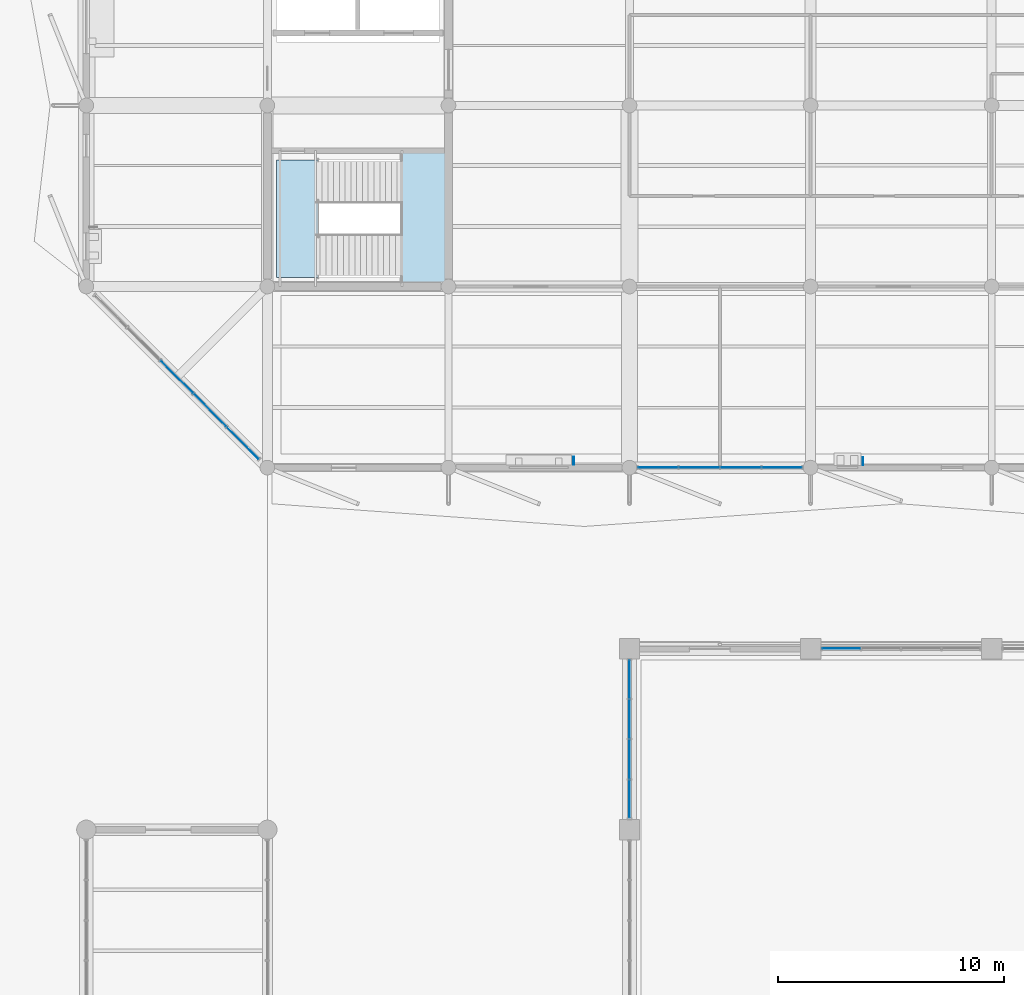
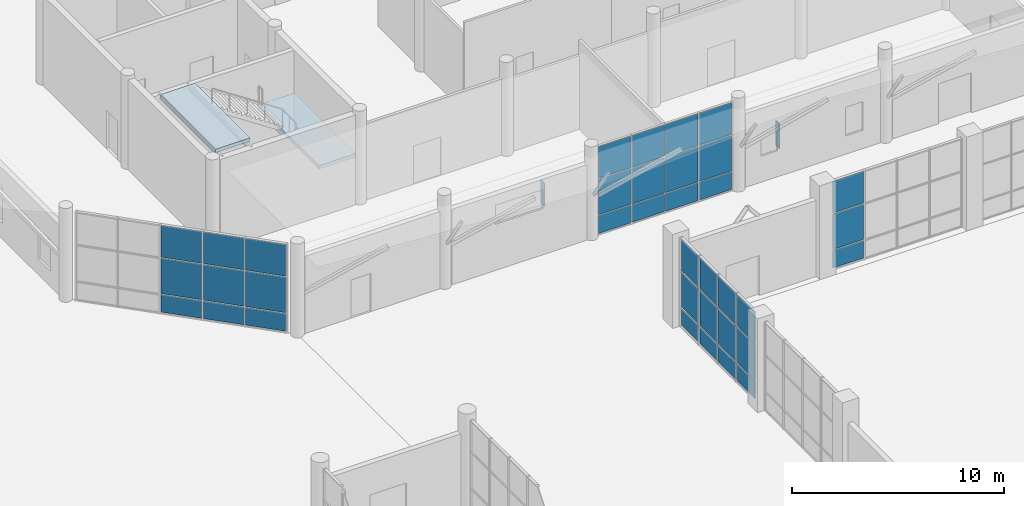
# One storey, part 83 of 123: 38 plates, 2 slabs, 5 elements without a shape of their own.
"""IFC4 building model written with IfcOpenShell, lengths in metres."""

import ifcopenshell
import ifcopenshell.guid

model = None  # the IFC model being written
_history = None  # IfcOwnerHistory: only IFC2X3 demands one
_inside = {}  # id of a spatial element -> (the spatial element, [elements in it])
_under = {}  # id of a project, library or spatial element -> (it, [spatial elements below it])
_declared = {}  # id of a project -> (the project, [libraries it declares])
_typed = {}  # id of a type object -> (the type object, [elements of that type])
_made_of = {}  # id of a material, layer set ... -> (it, [elements and type objects made of it])


def new_model(schema):
    """Start an empty IFC model of exactly this schema.

    Asked for "IFC4X3", IfcOpenShell would pick the latest addendum, in which some entities
    have other attributes; the version numbers below select the first issue.
    IFC2X3 requires an IfcOwnerHistory on every rooted entity: one is made here for all.
    """
    global model, _history
    if schema == "IFC4X3":
        model = ifcopenshell.file(schema_version=(4, 3, 0, 0))
    else:
        model = ifcopenshell.file(schema=schema)
    _inside.clear()
    _under.clear()
    _declared.clear()
    _typed.clear()
    _made_of.clear()
    _history = None
    if model.schema == "IFC2X3":
        org = make("IfcOrganization", Name="unknown")
        user = make(
            "IfcPersonAndOrganization",
            ThePerson=make("IfcPerson", FamilyName="unknown"),
            TheOrganization=org,
        )
        app = make(
            "IfcApplication",
            ApplicationDeveloper=org,
            Version="unknown",
            ApplicationFullName="unknown",
            ApplicationIdentifier="unknown",
        )
        _history = make(
            "IfcOwnerHistory",
            OwningUser=user,
            OwningApplication=app,
            ChangeAction="ADDED",
            CreationDate=0,
        )
    return model


def make(cls, **values):
    """One entity of the class cls with the attributes given. An attribute that is None is left unset."""
    return model.create_entity(
        cls, **{name: value for name, value in values.items() if value is not None}
    )


def rooted(cls, **values):
    """An entity with a GlobalId (a new one), such as an element, a storey or a relation."""
    return make(cls, GlobalId=ifcopenshell.guid.new(), OwnerHistory=_history, **values)


def si_unit(unit_type, name, prefix=None):
    """IfcSIUnit, for example si_unit("LENGTHUNIT", "METRE", prefix="MILLI")."""
    return make("IfcSIUnit", UnitType=unit_type, Prefix=prefix, Name=name)


def assignment(units):
    """IfcUnitAssignment: the units of a project."""
    return None if units is None else make("IfcUnitAssignment", Units=units)


def point(xyz):
    """IfcCartesianPoint."""
    return None if xyz is None else make("IfcCartesianPoint", Coordinates=xyz)


def direction(xyz):
    """IfcDirection."""
    return None if xyz is None else make("IfcDirection", DirectionRatios=xyz)


def frame(location, z_axis=None, x_axis=None):
    """IfcAxis2Placement3D, a coordinate frame: its origin and axes. An axis left out is left unset."""
    return make(
        "IfcAxis2Placement3D",
        Location=point(location),
        Axis=direction(z_axis),
        RefDirection=direction(x_axis),
    )


def frame_2d(location, x_axis=None):
    """IfcAxis2Placement2D, a coordinate frame in the plane: its origin and x axis."""
    return make(
        "IfcAxis2Placement2D", Location=point(location), RefDirection=direction(x_axis)
    )


def origin():
    """The frame at (0, 0, 0) with its axes left unset."""
    return frame((0.0, 0.0, 0.0))


def origin_2d():
    """The frame at (0, 0) in the plane with its x axis left unset."""
    return frame_2d((0.0, 0.0))


def place(relative_to, where):
    """IfcLocalPlacement: puts the frame where relative to a parent placement (None: the world)."""
    return make(
        "IfcLocalPlacement", PlacementRelTo=relative_to, RelativePlacement=where
    )


def context(
    kind, dimensions, precision=None, world=None, true_north=None, identifier=None
):
    """IfcGeometricRepresentationContext, for example the 3D "Model" context."""
    return make(
        "IfcGeometricRepresentationContext",
        ContextIdentifier=identifier,
        ContextType=kind,
        CoordinateSpaceDimension=dimensions,
        Precision=precision,
        WorldCoordinateSystem=world,
        TrueNorth=true_north,
    )


def subcontext(parent, identifier, kind, view, scale=None):
    """IfcGeometricRepresentationSubContext, for example "Body" below "Model"."""
    return make(
        "IfcGeometricRepresentationSubContext",
        ContextIdentifier=identifier,
        ContextType=kind,
        ParentContext=parent,
        TargetScale=scale,
        TargetView=view,
    )


def project(units=None, contexts=None):
    """IfcProject with its units and contexts."""
    return rooted(
        "IfcProject",
        Name="project",
        RepresentationContexts=contexts,
        UnitsInContext=assignment(units),
    )


def spatial(cls, under=None, at=None, **own):
    """A site, building, storey or space (cls), placed at a placement, below another one or the project."""
    s = rooted(cls, ObjectPlacement=at, **own)
    if under is not None:
        _under.setdefault(under.id(), (under, []))[1].append(s)
    return s


def polyline(points):
    """IfcPolyline through the points."""
    return make("IfcPolyline", Points=[point(p) for p in points])


def profile(cls, at=None, kind="AREA", **sizes):
    """A parametric profile (cls). Its sizes go by their IFC names, for example OverallWidth=200.0."""
    return make(cls, ProfileType=kind, Position=at, **sizes)


def rectangle(**sizes):
    """IfcRectangleProfileDef."""
    return profile("IfcRectangleProfileDef", **sizes)


def outline(outer, holes=None, kind="AREA"):
    """IfcArbitraryClosedProfileDef: a profile drawn as a closed curve; with holes, ...WithVoids."""
    if holes is None:
        return make("IfcArbitraryClosedProfileDef", ProfileType=kind, OuterCurve=outer)
    return make(
        "IfcArbitraryProfileDefWithVoids",
        ProfileType=kind,
        OuterCurve=outer,
        InnerCurves=holes,
    )


def extrude(swept, where, along, depth):
    """IfcExtrudedAreaSolid: the profile swept, set in the frame where, extruded along a direction by depth."""
    return make(
        "IfcExtrudedAreaSolid",
        SweptArea=swept,
        Position=where,
        ExtrudedDirection=direction(along),
        Depth=depth,
    )


def shape(context_of_items, identifier, shape_type, items):
    """IfcShapeRepresentation: the items that make up one representation, for example the "Body"."""
    return make(
        "IfcShapeRepresentation",
        ContextOfItems=context_of_items,
        RepresentationIdentifier=identifier,
        RepresentationType=shape_type,
        Items=items,
    )


def material(Name=None, Category=None):
    """IfcMaterial."""
    return make("IfcMaterial", Name=Name, Category=Category)


def layer(
    of_material, thickness, ventilated=None, Name=None, Category=None, Priority=None
):
    """IfcMaterialLayer: one layer of a wall or slab, of a material (None: an air gap)."""
    return make(
        "IfcMaterialLayer",
        Material=of_material,
        LayerThickness=thickness,
        IsVentilated=ventilated,
        Name=Name,
        Category=Category,
        Priority=Priority,
    )


def layer_set(layers, Name=None):
    """IfcMaterialLayerSet."""
    return make("IfcMaterialLayerSet", MaterialLayers=layers, LayerSetName=Name)


def made_of(thing, what):
    """Note that an element or type object is made of a material, layer set ...; save() writes the relation."""
    if what is not None:
        _made_of.setdefault(what.id(), (what, []))[1].append(thing)
    return thing


def type_object(cls, material=None, **own):
    """A type object (cls), such as IfcWallType, which elements share."""
    return made_of(rooted(cls, **own), material)


def element(
    cls,
    number,
    at=None,
    inside=None,
    cuts=None,
    type_object=None,
    material=None,
    context=None,
    identifier="Body",
    shape_type=None,
    held_by="IfcProductDefinitionShape",
    body=None,
    shapes=None,
    **own,
):
    """One element of the class cls, such as IfcWall. Its Tag is "e" and its number.

    at: its placement. inside: the storey or other place that contains it. cuts: it is an
    opening in that element (IfcRelVoidsElement). A single representation is given by context,
    identifier, shape_type and body (its items); several are given by shapes. held_by: the class
    of the entity that holds the representations. save() writes the other relations.
    """
    e = rooted(cls, Tag="e%d" % number, ObjectPlacement=at, **own)
    if body is not None:
        shapes = [shape(context, identifier, shape_type, body)]
    if shapes is not None:
        e.Representation = make(held_by, Representations=shapes)
    if inside is not None:
        _inside.setdefault(inside.id(), (inside, []))[1].append(e)
    if cuts is not None:
        rooted(
            "IfcRelVoidsElement", RelatingBuildingElement=cuts, RelatedOpeningElement=e
        )
    if type_object is not None:
        _typed.setdefault(type_object.id(), (type_object, []))[1].append(e)
    return made_of(e, material)


def aggregate(whole, parts):
    """IfcRelAggregates: a whole, such as a stair, and the parts it consists of."""
    return rooted("IfcRelAggregates", RelatingObject=whole, RelatedObjects=parts)


def save(model, path):
    """Write the relations noted so far, then the file.

    IfcRelAggregates (storeys below a building ...), IfcRelContainedInSpatialStructure (elements
    in a storey), IfcRelDefinesByType, IfcRelAssociatesMaterial and IfcRelDeclares: one each for
    every whole, place, type object, material and project.
    """
    for whole, parts in _under.values():
        aggregate(whole, parts)
    for where, things in _inside.values():
        rooted(
            "IfcRelContainedInSpatialStructure",
            RelatedElements=things,
            RelatingStructure=where,
        )
    for kind, things in _typed.values():
        rooted("IfcRelDefinesByType", RelatedObjects=things, RelatingType=kind)
    for what, things in _made_of.values():
        rooted("IfcRelAssociatesMaterial", RelatedObjects=things, RelatingMaterial=what)
    for by, libraries in _declared.values():
        rooted("IfcRelDeclares", RelatingContext=by, RelatedDefinitions=libraries)
    model.write(path)


model = new_model("IFC4")

# Units and contexts
model_context = context("Model", 3, precision=1e-05, world=origin(), true_north=direction((0.0, 1.0)))
body_context = subcontext(model_context, "Body", "Model", "MODEL_VIEW")
ifc_project = project(units=[si_unit("LENGTHUNIT", "METRE"), si_unit("AREAUNIT", "SQUARE_METRE"), si_unit("VOLUMEUNIT", "CUBIC_METRE"), si_unit("PLANEANGLEUNIT", "RADIAN"), si_unit("MASSUNIT", "GRAM", prefix="KILO")], contexts=[model_context])

# Site, building, storey
site_placement = place(None, origin())
site = spatial("IfcSite", under=ifc_project, at=site_placement, CompositionType="ELEMENT")
building_placement = place(site_placement, origin())
building = spatial("IfcBuilding", under=site, at=building_placement, Name="Tenunan Teduh Sports Hall", CompositionType="ELEMENT")
storey_placement = place(building_placement, origin())
storey = spatial("IfcBuildingStorey", under=building, at=storey_placement, Name="L00", CompositionType="ELEMENT", Elevation=0.0)

# Curtain wall, plates
ifc_material_1 = material(Name="Anodised aluminium", Category="aluminium")
curtain_wall_type = type_object("IfcCurtainWallType", Name="CW-UNIT-1", PredefinedType="NOTDEFINED", material=ifc_material_1)
curtain_wall_1_placement = place(storey_placement, origin())
curtain_wall_1 = element("IfcCurtainWall", 1, at=curtain_wall_1_placement, inside=storey, type_object=curtain_wall_type, Name="CW-CWM-175-L00-110", PredefinedType="NOTDEFINED")
ifc_material_2 = material(Name="Low-E laminated double glazing", Category="glass")
ifc_layer_1 = layer(ifc_material_2, 0.028076171875)
ifc_layer_set_1 = layer_set([ifc_layer_1], Name="Low-E laminated double glazing")
plate_type_1 = type_object("IfcPlateType", Name="CWP-GLZ-28", PredefinedType="CURTAIN_PANEL", material=ifc_layer_set_1)
plate_1_placement = place(storey_placement, frame((131.353759765625, 78.0, 1.13232421875), z_axis=(0.0, 0.0, 1.0), x_axis=(1.0, 0.0, 0.0)))
plate_1 = element("IfcPlate", 2, at=plate_1_placement, type_object=plate_type_1, Name="CW-01 panel 1.2", PredefinedType="CURTAIN_PANEL", context=body_context, shape_type="SweptSolid", body=[
    extrude(rectangle(XDim=1.677490234375, YDim=0.028076171875, at=origin_2d()), origin(), (0.0, 0.0, 1.0), 2.034912109375),
])
plate_2_placement = place(storey_placement, frame((131.353759765625, 78.0, 3.232421875), z_axis=(0.0, 0.0, 1.0), x_axis=(1.0, 0.0, 0.0)))
plate_2 = element("IfcPlate", 3, at=plate_2_placement, type_object=plate_type_1, Name="CW-01 panel 1.3", PredefinedType="CURTAIN_PANEL", context=body_context, shape_type="SweptSolid", body=[
    extrude(rectangle(XDim=1.677490234375, YDim=0.028076171875, at=origin_2d()), origin(), (0.0, 0.0, 1.0), 1.822509765625),
])

curtain_wall_2_placement = place(storey_placement, origin())
curtain_wall_2 = element("IfcCurtainWall", 4, at=curtain_wall_2_placement, inside=storey, type_object=curtain_wall_type, Name="CW-CWM-200-L00-116", PredefinedType="NOTDEFINED")
plate_3_placement = place(storey_placement, frame((122.0, 71.35498046875, 1.134765625), z_axis=(0.0, 0.0, 1.0), x_axis=(0.0, 1.0, 0.0)))
plate_3 = element("IfcPlate", 5, at=plate_3_placement, type_object=plate_type_1, Name="CW-01 panel 1.2", PredefinedType="CURTAIN_PANEL", context=body_context, shape_type="SweptSolid", body=[
    extrude(rectangle(XDim=1.669921875, YDim=0.028076171875, at=origin_2d()), origin(), (0.0, 0.0, 1.0), 2.030029296875),
])
plate_4_placement = place(storey_placement, frame((122.0, 71.35498046875, 3.235107421875), z_axis=(0.0, 0.0, 1.0), x_axis=(0.0, 1.0, 0.0)))
plate_4 = element("IfcPlate", 6, at=plate_4_placement, type_object=plate_type_1, Name="CW-01 panel 1.3", PredefinedType="CURTAIN_PANEL", context=body_context, shape_type="SweptSolid", body=[
    extrude(rectangle(XDim=1.669921875, YDim=0.028076171875, at=origin_2d()), origin(), (0.0, 0.0, 1.0), 1.81494140625),
])
plate_5_placement = place(storey_placement, frame((122.0, 73.112548828125, 1.134765625), z_axis=(0.0, 0.0, 1.0), x_axis=(0.0, 1.0, 0.0)))
plate_5 = element("IfcPlate", 7, at=plate_5_placement, type_object=plate_type_1, Name="CW-01 panel 2.2", PredefinedType="CURTAIN_PANEL", context=body_context, shape_type="SweptSolid", body=[
    extrude(rectangle(XDim=1.705078125, YDim=0.028076171875, at=origin_2d()), origin(), (0.0, 0.0, 1.0), 2.030029296875),
])
plate_6_placement = place(storey_placement, frame((122.0, 73.112548828125, 3.235107421875), z_axis=(0.0, 0.0, 1.0), x_axis=(0.0, 1.0, 0.0)))
plate_6 = element("IfcPlate", 8, at=plate_6_placement, type_object=plate_type_1, Name="CW-01 panel 2.3", PredefinedType="CURTAIN_PANEL", context=body_context, shape_type="SweptSolid", body=[
    extrude(rectangle(XDim=1.705078125, YDim=0.028076171875, at=origin_2d()), origin(), (0.0, 0.0, 1.0), 1.81494140625),
])
plate_7_placement = place(storey_placement, frame((122.0, 74.887451171875, 1.134765625), z_axis=(0.0, 0.0, 1.0), x_axis=(0.0, 1.0, 0.0)))
plate_7 = element("IfcPlate", 9, at=plate_7_placement, type_object=plate_type_1, Name="CW-01 panel 3.2", PredefinedType="CURTAIN_PANEL", context=body_context, shape_type="SweptSolid", body=[
    extrude(rectangle(XDim=1.705078125, YDim=0.028076171875, at=origin_2d()), origin(), (0.0, 0.0, 1.0), 2.030029296875),
])
plate_8_placement = place(storey_placement, frame((122.0, 74.887451171875, 3.235107421875), z_axis=(0.0, 0.0, 1.0), x_axis=(0.0, 1.0, 0.0)))
plate_8 = element("IfcPlate", 10, at=plate_8_placement, type_object=plate_type_1, Name="CW-01 panel 3.3", PredefinedType="CURTAIN_PANEL", context=body_context, shape_type="SweptSolid", body=[
    extrude(rectangle(XDim=1.705078125, YDim=0.028076171875, at=origin_2d()), origin(), (0.0, 0.0, 1.0), 1.81494140625),
])
plate_9_placement = place(storey_placement, frame((122.0, 76.64501953125, 1.134765625), z_axis=(0.0, 0.0, 1.0), x_axis=(0.0, 1.0, 0.0)))
plate_9 = element("IfcPlate", 11, at=plate_9_placement, type_object=plate_type_1, Name="CW-01 panel 4.2", PredefinedType="CURTAIN_PANEL", context=body_context, shape_type="SweptSolid", body=[
    extrude(rectangle(XDim=1.669921875, YDim=0.028076171875, at=origin_2d()), origin(), (0.0, 0.0, 1.0), 2.030029296875),
])
plate_10_placement = place(storey_placement, frame((122.0, 76.64501953125, 3.235107421875), z_axis=(0.0, 0.0, 1.0), x_axis=(0.0, 1.0, 0.0)))
plate_10 = element("IfcPlate", 12, at=plate_10_placement, type_object=plate_type_1, Name="CW-01 panel 4.3", PredefinedType="CURTAIN_PANEL", context=body_context, shape_type="SweptSolid", body=[
    extrude(rectangle(XDim=1.669921875, YDim=0.028076171875, at=origin_2d()), origin(), (0.0, 0.0, 1.0), 1.81494140625),
])

curtain_wall_3_placement = place(storey_placement, origin())
curtain_wall_3 = element("IfcCurtainWall", 13, at=curtain_wall_3_placement, inside=storey, type_object=curtain_wall_type, Name="CW-CWM-175-L00-242", PredefinedType="NOTDEFINED")
plate_11_placement = place(storey_placement, frame((102.0, 90.0, 1.13232421875), z_axis=(0.0, 0.0, 1.0), x_axis=(0.707106781187, -0.707106781187, 0.0)))
plate_11 = element("IfcPlate", 14, at=plate_11_placement, type_object=plate_type_1, Name="CW-01 panel 3.2", PredefinedType="CURTAIN_PANEL", context=body_context, shape_type="SweptSolid", body=[
    extrude(rectangle(XDim=2.004638671875, YDim=0.028076171875, at=origin_2d()), origin(), (0.0, 0.0, 1.0), 2.034912109375),
])
plate_12_placement = place(storey_placement, frame((102.0, 90.0, 3.232421875), z_axis=(0.0, 0.0, 1.0), x_axis=(0.707106781187, -0.707106781187, 0.0)))
plate_12 = element("IfcPlate", 15, at=plate_12_placement, type_object=plate_type_1, Name="CW-01 panel 3.3", PredefinedType="CURTAIN_PANEL", context=body_context, shape_type="SweptSolid", body=[
    extrude(rectangle(XDim=2.004638671875, YDim=0.028076171875, at=origin_2d()), origin(), (0.0, 0.0, 1.0), 1.822509765625),
])
plate_13_placement = place(storey_placement, frame((103.46337890625, 88.53662109375, 1.13232421875), z_axis=(0.0, 0.0, 1.0), x_axis=(0.707106781187, -0.707106781187, 0.0)))
plate_13 = element("IfcPlate", 16, at=plate_13_placement, type_object=plate_type_1, Name="CW-01 panel 4.2", PredefinedType="CURTAIN_PANEL", context=body_context, shape_type="SweptSolid", body=[
    extrude(rectangle(XDim=2.004638671875, YDim=0.028076171875, at=origin_2d()), origin(), (0.0, 0.0, 1.0), 2.034912109375),
])
plate_14_placement = place(storey_placement, frame((103.46337890625, 88.53662109375, 3.232421875), z_axis=(0.0, 0.0, 1.0), x_axis=(0.707106781187, -0.707106781187, 0.0)))
plate_14 = element("IfcPlate", 17, at=plate_14_placement, type_object=plate_type_1, Name="CW-01 panel 4.3", PredefinedType="CURTAIN_PANEL", context=body_context, shape_type="SweptSolid", body=[
    extrude(rectangle(XDim=2.004638671875, YDim=0.028076171875, at=origin_2d()), origin(), (0.0, 0.0, 1.0), 1.822509765625),
])
plate_15_placement = place(storey_placement, frame((104.91552734375, 87.08447265625, 1.13232421875), z_axis=(0.0, 0.0, 1.0), x_axis=(0.707106781187, -0.707106781187, 0.0)))
plate_15 = element("IfcPlate", 18, at=plate_15_placement, type_object=plate_type_1, Name="CW-01 panel 5.2", PredefinedType="CURTAIN_PANEL", context=body_context, shape_type="SweptSolid", body=[
    extrude(rectangle(XDim=1.97216796875, YDim=0.028076171875, at=origin_2d()), origin(), (0.0, 0.0, 1.0), 2.034912109375),
])
plate_16_placement = place(storey_placement, frame((104.91552734375, 87.08447265625, 3.232421875), z_axis=(0.0, 0.0, 1.0), x_axis=(0.707106781187, -0.707106781187, 0.0)))
plate_16 = element("IfcPlate", 19, at=plate_16_placement, type_object=plate_type_1, Name="CW-01 panel 5.3", PredefinedType="CURTAIN_PANEL", context=body_context, shape_type="SweptSolid", body=[
    extrude(rectangle(XDim=1.97216796875, YDim=0.028076171875, at=origin_2d()), origin(), (0.0, 0.0, 1.0), 1.822509765625),
])

curtain_wall_4_placement = place(storey_placement, origin())
curtain_wall_4 = element("IfcCurtainWall", 20, at=curtain_wall_4_placement, inside=storey, type_object=curtain_wall_type, Name="CW-CWM-150-L00-235", PredefinedType="NOTDEFINED")
ifc_material_3 = material(Name="Solar-control laminated glazing", Category="glass")
ifc_layer_2 = layer(ifc_material_3, 0.031982421875)
ifc_layer_set_2 = layer_set([ifc_layer_2], Name="Solar-control laminated glazing")
plate_type_2 = type_object("IfcPlateType", Name="CWP-GLZ-32", PredefinedType="CURTAIN_PANEL", material=ifc_layer_set_2)
plate_17_placement = place(storey_placement, frame((123.2587890625, 86.0, 1.1298828125), z_axis=(0.0, 0.0, 1.0), x_axis=(1.0, 0.0, 0.0)))
plate_17 = element("IfcPlate", 21, at=plate_17_placement, type_object=plate_type_2, Name="CW-01 panel 1.2", PredefinedType="CURTAIN_PANEL", context=body_context, shape_type="SweptSolid", body=[
    extrude(rectangle(XDim=1.74755859375, YDim=0.031982421875, at=origin_2d()), origin(), (0.0, 0.0, 1.0), 2.0400390625),
])
plate_18_placement = place(storey_placement, frame((123.2587890625, 86.0, 3.22998046875), z_axis=(0.0, 0.0, 1.0), x_axis=(1.0, 0.0, 0.0)))
plate_18 = element("IfcPlate", 22, at=plate_18_placement, type_object=plate_type_2, Name="CW-01 panel 1.3", PredefinedType="CURTAIN_PANEL", context=body_context, shape_type="SweptSolid", body=[
    extrude(rectangle(XDim=1.74755859375, YDim=0.031982421875, at=origin_2d()), origin(), (0.0, 0.0, 1.0), 1.830078125),
])
plate_19_placement = place(storey_placement, frame((125.081298828125, 86.0, 1.1298828125), z_axis=(0.0, 0.0, 1.0), x_axis=(1.0, 0.0, 0.0)))
plate_19 = element("IfcPlate", 23, at=plate_19_placement, type_object=plate_type_2, Name="CW-01 panel 2.2", PredefinedType="CURTAIN_PANEL", context=body_context, shape_type="SweptSolid", body=[
    extrude(rectangle(XDim=1.777587890625, YDim=0.031982421875, at=origin_2d()), origin(), (0.0, 0.0, 1.0), 2.0400390625),
])
plate_20_placement = place(storey_placement, frame((125.081298828125, 86.0, 3.22998046875), z_axis=(0.0, 0.0, 1.0), x_axis=(1.0, 0.0, 0.0)))
plate_20 = element("IfcPlate", 24, at=plate_20_placement, type_object=plate_type_2, Name="CW-01 panel 2.3", PredefinedType="CURTAIN_PANEL", context=body_context, shape_type="SweptSolid", body=[
    extrude(rectangle(XDim=1.777587890625, YDim=0.031982421875, at=origin_2d()), origin(), (0.0, 0.0, 1.0), 1.830078125),
])
plate_21_placement = place(storey_placement, frame((126.918701171875, 86.0, 1.1298828125), z_axis=(0.0, 0.0, 1.0), x_axis=(1.0, 0.0, 0.0)))
plate_21 = element("IfcPlate", 25, at=plate_21_placement, type_object=plate_type_2, Name="CW-01 panel 3.2", PredefinedType="CURTAIN_PANEL", context=body_context, shape_type="SweptSolid", body=[
    extrude(rectangle(XDim=1.777587890625, YDim=0.031982421875, at=origin_2d()), origin(), (0.0, 0.0, 1.0), 2.0400390625),
])
plate_22_placement = place(storey_placement, frame((126.918701171875, 86.0, 3.22998046875), z_axis=(0.0, 0.0, 1.0), x_axis=(1.0, 0.0, 0.0)))
plate_22 = element("IfcPlate", 26, at=plate_22_placement, type_object=plate_type_2, Name="CW-01 panel 3.3", PredefinedType="CURTAIN_PANEL", context=body_context, shape_type="SweptSolid", body=[
    extrude(rectangle(XDim=1.777587890625, YDim=0.031982421875, at=origin_2d()), origin(), (0.0, 0.0, 1.0), 1.830078125),
])
plate_23_placement = place(storey_placement, frame((128.7412109375, 86.0, 1.1298828125), z_axis=(0.0, 0.0, 1.0), x_axis=(1.0, 0.0, 0.0)))
plate_23 = element("IfcPlate", 27, at=plate_23_placement, type_object=plate_type_2, Name="CW-01 panel 4.2", PredefinedType="CURTAIN_PANEL", context=body_context, shape_type="SweptSolid", body=[
    extrude(rectangle(XDim=1.74755859375, YDim=0.031982421875, at=origin_2d()), origin(), (0.0, 0.0, 1.0), 2.0400390625),
])
plate_24_placement = place(storey_placement, frame((128.7412109375, 86.0, 3.22998046875), z_axis=(0.0, 0.0, 1.0), x_axis=(1.0, 0.0, 0.0)))
plate_24 = element("IfcPlate", 28, at=plate_24_placement, type_object=plate_type_2, Name="CW-01 panel 4.3", PredefinedType="CURTAIN_PANEL", context=body_context, shape_type="SweptSolid", body=[
    extrude(rectangle(XDim=1.74755859375, YDim=0.031982421875, at=origin_2d()), origin(), (0.0, 0.0, 1.0), 1.830078125),
])

# Plate
ifc_material_4 = material(Name="Insulated aluminium spandrel panel", Category="aluminium")
ifc_layer_3 = layer(ifc_material_4, 0.044921875)
ifc_layer_set_3 = layer_set([ifc_layer_3], Name="Insulated aluminium spandrel panel")
plate_type_3 = type_object("IfcPlateType", Name="CWP-SPN-45", PredefinedType="CURTAIN_PANEL", material=ifc_layer_set_3)
plate_25_placement = place(storey_placement, frame((131.353759765625, 78.0, 0.06494140625), z_axis=(0.0, 0.0, 1.0), x_axis=(1.0, 0.0, 0.0)))
plate_25 = element("IfcPlate", 29, at=plate_25_placement, type_object=plate_type_3, Name="CW-01 panel 1.1", PredefinedType="CURTAIN_PANEL", context=body_context, shape_type="SweptSolid", body=[
    extrude(rectangle(XDim=1.677490234375, YDim=0.028076171875, at=origin_2d()), origin(), (0.0, 0.0, 1.0), 1.00244140625),
])

aggregate(curtain_wall_1, [plate_25, plate_1, plate_2])

plate_26_placement = place(storey_placement, frame((122.0, 71.35498046875, 0.06982421875), z_axis=(0.0, 0.0, 1.0), x_axis=(0.0, 1.0, 0.0)))
plate_26 = element("IfcPlate", 30, at=plate_26_placement, type_object=plate_type_3, Name="CW-01 panel 1.1", PredefinedType="CURTAIN_PANEL", context=body_context, shape_type="SweptSolid", body=[
    extrude(rectangle(XDim=1.669921875, YDim=0.028076171875, at=origin_2d()), origin(), (0.0, 0.0, 1.0), 0.9951171875),
])

plate_27_placement = place(storey_placement, frame((122.0, 73.112548828125, 0.06982421875), z_axis=(0.0, 0.0, 1.0), x_axis=(0.0, 1.0, 0.0)))
plate_27 = element("IfcPlate", 31, at=plate_27_placement, type_object=plate_type_3, Name="CW-01 panel 2.1", PredefinedType="CURTAIN_PANEL", context=body_context, shape_type="SweptSolid", body=[
    extrude(rectangle(XDim=1.705078125, YDim=0.028076171875, at=origin_2d()), origin(), (0.0, 0.0, 1.0), 0.9951171875),
])

plate_28_placement = place(storey_placement, frame((122.0, 74.887451171875, 0.06982421875), z_axis=(0.0, 0.0, 1.0), x_axis=(0.0, 1.0, 0.0)))
plate_28 = element("IfcPlate", 32, at=plate_28_placement, type_object=plate_type_3, Name="CW-01 panel 3.1", PredefinedType="CURTAIN_PANEL", context=body_context, shape_type="SweptSolid", body=[
    extrude(rectangle(XDim=1.705078125, YDim=0.028076171875, at=origin_2d()), origin(), (0.0, 0.0, 1.0), 0.9951171875),
])

plate_29_placement = place(storey_placement, frame((122.0, 76.64501953125, 0.06982421875), z_axis=(0.0, 0.0, 1.0), x_axis=(0.0, 1.0, 0.0)))
plate_29 = element("IfcPlate", 33, at=plate_29_placement, type_object=plate_type_3, Name="CW-01 panel 4.1", PredefinedType="CURTAIN_PANEL", context=body_context, shape_type="SweptSolid", body=[
    extrude(rectangle(XDim=1.669921875, YDim=0.028076171875, at=origin_2d()), origin(), (0.0, 0.0, 1.0), 0.9951171875),
])

aggregate(curtain_wall_2, [plate_26, plate_3, plate_4, plate_27, plate_5, plate_6, plate_28, plate_7, plate_8, plate_29, plate_9, plate_10])

plate_30_placement = place(storey_placement, frame((123.2587890625, 86.0, 0.06005859375), z_axis=(0.0, 0.0, 1.0), x_axis=(1.0, 0.0, 0.0)))
plate_30 = element("IfcPlate", 34, at=plate_30_placement, type_object=plate_type_3, Name="CW-01 panel 1.1", PredefinedType="CURTAIN_PANEL", context=body_context, shape_type="SweptSolid", body=[
    extrude(rectangle(XDim=1.74755859375, YDim=0.031982421875, at=origin_2d()), origin(), (0.0, 0.0, 1.0), 1.010009765625),
])

plate_31_placement = place(storey_placement, frame((125.081298828125, 86.0, 0.06005859375), z_axis=(0.0, 0.0, 1.0), x_axis=(1.0, 0.0, 0.0)))
plate_31 = element("IfcPlate", 35, at=plate_31_placement, type_object=plate_type_3, Name="CW-01 panel 2.1", PredefinedType="CURTAIN_PANEL", context=body_context, shape_type="SweptSolid", body=[
    extrude(rectangle(XDim=1.777587890625, YDim=0.031982421875, at=origin_2d()), origin(), (0.0, 0.0, 1.0), 1.010009765625),
])

plate_32_placement = place(storey_placement, frame((126.918701171875, 86.0, 0.06005859375), z_axis=(0.0, 0.0, 1.0), x_axis=(1.0, 0.0, 0.0)))
plate_32 = element("IfcPlate", 36, at=plate_32_placement, type_object=plate_type_3, Name="CW-01 panel 3.1", PredefinedType="CURTAIN_PANEL", context=body_context, shape_type="SweptSolid", body=[
    extrude(rectangle(XDim=1.777587890625, YDim=0.031982421875, at=origin_2d()), origin(), (0.0, 0.0, 1.0), 1.010009765625),
])

plate_33_placement = place(storey_placement, frame((128.7412109375, 86.0, 0.06005859375), z_axis=(0.0, 0.0, 1.0), x_axis=(1.0, 0.0, 0.0)))
plate_33 = element("IfcPlate", 37, at=plate_33_placement, type_object=plate_type_3, Name="CW-01 panel 4.1", PredefinedType="CURTAIN_PANEL", context=body_context, shape_type="SweptSolid", body=[
    extrude(rectangle(XDim=1.74755859375, YDim=0.031982421875, at=origin_2d()), origin(), (0.0, 0.0, 1.0), 1.010009765625),
])

aggregate(curtain_wall_4, [plate_30, plate_17, plate_18, plate_31, plate_19, plate_20, plate_32, plate_21, plate_22, plate_33, plate_23, plate_24])

plate_34_placement = place(storey_placement, frame((102.0, 90.0, 0.06494140625), z_axis=(0.0, 0.0, 1.0), x_axis=(0.707106781187, -0.707106781187, 0.0)))
plate_34 = element("IfcPlate", 38, at=plate_34_placement, type_object=plate_type_3, Name="CW-01 panel 3.1", PredefinedType="CURTAIN_PANEL", context=body_context, shape_type="SweptSolid", body=[
    extrude(rectangle(XDim=2.004638671875, YDim=0.028076171875, at=origin_2d()), origin(), (0.0, 0.0, 1.0), 1.00244140625),
])

plate_35_placement = place(storey_placement, frame((103.46337890625, 88.53662109375, 0.06494140625), z_axis=(0.0, 0.0, 1.0), x_axis=(0.707106781187, -0.707106781187, 0.0)))
plate_35 = element("IfcPlate", 39, at=plate_35_placement, type_object=plate_type_3, Name="CW-01 panel 4.1", PredefinedType="CURTAIN_PANEL", context=body_context, shape_type="SweptSolid", body=[
    extrude(rectangle(XDim=2.004638671875, YDim=0.028076171875, at=origin_2d()), origin(), (0.0, 0.0, 1.0), 1.00244140625),
])

plate_36_placement = place(storey_placement, frame((104.91552734375, 87.08447265625, 0.06494140625), z_axis=(0.0, 0.0, 1.0), x_axis=(0.707106781187, -0.707106781187, 0.0)))
plate_36 = element("IfcPlate", 40, at=plate_36_placement, type_object=plate_type_3, Name="CW-01 panel 5.1", PredefinedType="CURTAIN_PANEL", context=body_context, shape_type="SweptSolid", body=[
    extrude(rectangle(XDim=1.97216796875, YDim=0.028076171875, at=origin_2d()), origin(), (0.0, 0.0, 1.0), 1.00244140625),
])

aggregate(curtain_wall_3, [plate_34, plate_11, plate_12, plate_35, plate_13, plate_14, plate_36, plate_15, plate_16])

# Plates
ifc_material_5 = material(Name="Anodised aluminium", Category="aluminium")
ifc_layer_4 = layer(ifc_material_5, 1.89990234375)
ifc_layer_set_4 = layer_set([ifc_layer_4], Name="Anodised aluminium")
plate_type_4 = type_object("IfcPlateType", Name="PLT-FIN-1", PredefinedType="SHEET", material=ifc_layer_set_4)
plate_37_placement = place(storey_placement, frame((119.534912109375, 86.300048828125, 2.52978515625), z_axis=(0.0, 0.0, 1.0), x_axis=(1.0, 0.0, 0.0)))
element("IfcPlate", 41, at=plate_37_placement, inside=storey, type_object=plate_type_4, Name="PLT-FIN-L00-072", PredefinedType="SHEET", context=body_context, shape_type="SweptSolid", body=[
    extrude(rectangle(XDim=0.0400390625, YDim=0.360107421875, at=origin_2d()), origin(), (0.0, 0.0, 1.0), 1.340087890625),
])
plate_38_placement = place(storey_placement, frame((132.31494140625, 86.284912109375, 1.380126953125), z_axis=(0.0, 0.0, 1.0), x_axis=(1.0, 0.0, 0.0)))
element("IfcPlate", 42, at=plate_38_placement, inside=storey, type_object=plate_type_4, Name="PLT-FIN-L00-073", PredefinedType="SHEET", context=body_context, shape_type="SweptSolid", body=[
    extrude(rectangle(XDim=0.0400390625, YDim=0.360107421875, at=origin_2d()), origin(), (0.0, 0.0, 1.0), 1.43994140625),
])

# Stair, slabs
ifc_material_6 = material(Name="Precast concrete C40/50", Category="concrete")
stair_type = type_object("IfcStairType", Name="STR-CORE-54", PredefinedType="HALF_TURN_STAIR", material=ifc_material_6)
stair_placement = place(storey_placement, origin())
stair = element("IfcStair", 43, at=stair_placement, inside=storey, type_object=stair_type, Name="STR-E1-L00", PredefinedType="HALF_TURN_STAIR")
ifc_material_7 = material(Name="Precast concrete C40/50", Category="concrete")
ifc_layer_5 = layer(ifc_material_7, 0.199951171875)
ifc_layer_set_5 = layer_set([ifc_layer_5], Name="Precast concrete C40/50")
slab_type = type_object("IfcSlabType", Name="SLB-LND-200", PredefinedType="LANDING", material=ifc_layer_set_5)
slab_1_placement = place(storey_placement, frame((0.0, 0.0, 2.5)))
slab_1 = element("IfcSlab", 44, at=slab_1_placement, type_object=slab_type, Name="ST-16 landing 1", PredefinedType="LANDING", context=body_context, shape_type="SweptSolid", body=[
    extrude(outline(polyline([(111.864990234375, 94.139892578125), (113.860107421875, 94.139892578125), (113.860107421875, 99.89990234375), (111.864990234375, 99.89990234375), (111.864990234375, 94.139892578125)])), origin(), (0.0, 0.0, 1.0), 0.199951171875),
])
slab_2_placement = place(storey_placement, frame((0.0, 0.0, 5.199951171875)))
slab_2 = element("IfcSlab", 45, at=slab_2_placement, type_object=slab_type, Name="ST-16 landing 2", PredefinedType="LANDING", context=body_context, shape_type="SweptSolid", body=[
    extrude(outline(polyline([(106.39990234375, 94.39990234375), (108.280029296875, 94.39990234375), (108.280029296875, 99.60009765625), (106.39990234375, 99.60009765625), (106.39990234375, 94.39990234375)])), origin(), (0.0, 0.0, 1.0), 0.199951171875),
])
aggregate(stair, [slab_1, slab_2])

save(model, "model.ifc")
